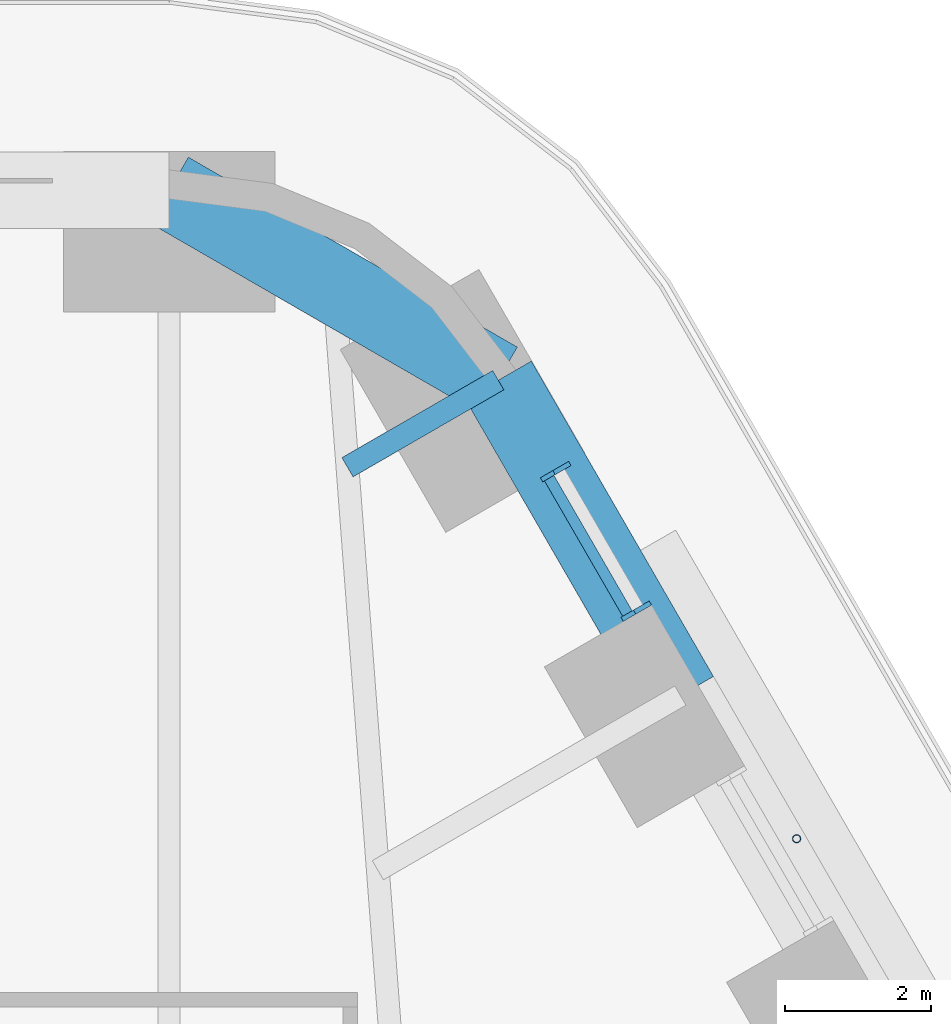
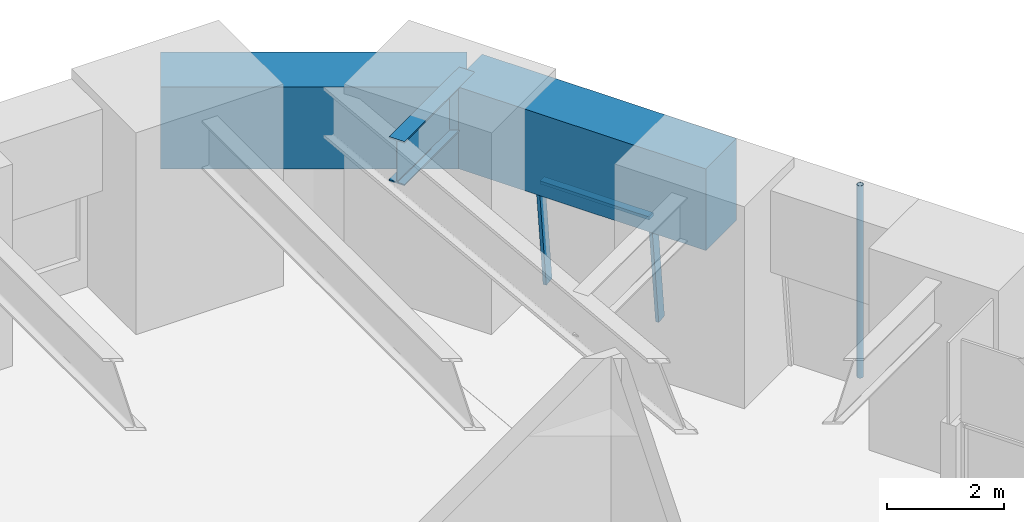
# One storey, part 13 of 24: 4 members, 3 beams, 1 element without a shape of its own.
"""IFC4 building model written with IfcOpenShell, lengths in metres."""

import ifcopenshell
import ifcopenshell.guid

model = None  # the IFC model being written
_history = None  # IfcOwnerHistory: only IFC2X3 demands one
_inside = {}  # id of a spatial element -> (the spatial element, [elements in it])
_under = {}  # id of a project, library or spatial element -> (it, [spatial elements below it])
_declared = {}  # id of a project -> (the project, [libraries it declares])
_typed = {}  # id of a type object -> (the type object, [elements of that type])
_made_of = {}  # id of a material, layer set ... -> (it, [elements and type objects made of it])


def new_model(schema):
    """Start an empty IFC model of exactly this schema.

    Asked for "IFC4X3", IfcOpenShell would pick the latest addendum, in which some entities
    have other attributes; the version numbers below select the first issue.
    IFC2X3 requires an IfcOwnerHistory on every rooted entity: one is made here for all.
    """
    global model, _history
    if schema == "IFC4X3":
        model = ifcopenshell.file(schema_version=(4, 3, 0, 0))
    else:
        model = ifcopenshell.file(schema=schema)
    _inside.clear()
    _under.clear()
    _declared.clear()
    _typed.clear()
    _made_of.clear()
    _history = None
    if model.schema == "IFC2X3":
        org = make("IfcOrganization", Name="unknown")
        user = make(
            "IfcPersonAndOrganization",
            ThePerson=make("IfcPerson", FamilyName="unknown"),
            TheOrganization=org,
        )
        app = make(
            "IfcApplication",
            ApplicationDeveloper=org,
            Version="unknown",
            ApplicationFullName="unknown",
            ApplicationIdentifier="unknown",
        )
        _history = make(
            "IfcOwnerHistory",
            OwningUser=user,
            OwningApplication=app,
            ChangeAction="ADDED",
            CreationDate=0,
        )
    return model


def make(cls, **values):
    """One entity of the class cls with the attributes given. An attribute that is None is left unset."""
    return model.create_entity(
        cls, **{name: value for name, value in values.items() if value is not None}
    )


def rooted(cls, **values):
    """An entity with a GlobalId (a new one), such as an element, a storey or a relation."""
    return make(cls, GlobalId=ifcopenshell.guid.new(), OwnerHistory=_history, **values)


def si_unit(unit_type, name, prefix=None):
    """IfcSIUnit, for example si_unit("LENGTHUNIT", "METRE", prefix="MILLI")."""
    return make("IfcSIUnit", UnitType=unit_type, Prefix=prefix, Name=name)


def assignment(units):
    """IfcUnitAssignment: the units of a project."""
    return None if units is None else make("IfcUnitAssignment", Units=units)


def point(xyz):
    """IfcCartesianPoint."""
    return None if xyz is None else make("IfcCartesianPoint", Coordinates=xyz)


def direction(xyz):
    """IfcDirection."""
    return None if xyz is None else make("IfcDirection", DirectionRatios=xyz)


def frame(location, z_axis=None, x_axis=None):
    """IfcAxis2Placement3D, a coordinate frame: its origin and axes. An axis left out is left unset."""
    return make(
        "IfcAxis2Placement3D",
        Location=point(location),
        Axis=direction(z_axis),
        RefDirection=direction(x_axis),
    )


def frame_2d(location, x_axis=None):
    """IfcAxis2Placement2D, a coordinate frame in the plane: its origin and x axis."""
    return make(
        "IfcAxis2Placement2D", Location=point(location), RefDirection=direction(x_axis)
    )


def origin():
    """The frame at (0, 0, 0) with its axes left unset."""
    return frame((0.0, 0.0, 0.0))


def origin_2d():
    """The frame at (0, 0) in the plane with its x axis left unset."""
    return frame_2d((0.0, 0.0))


def place(relative_to, where):
    """IfcLocalPlacement: puts the frame where relative to a parent placement (None: the world)."""
    return make(
        "IfcLocalPlacement", PlacementRelTo=relative_to, RelativePlacement=where
    )


def context(
    kind, dimensions, precision=None, world=None, true_north=None, identifier=None
):
    """IfcGeometricRepresentationContext, for example the 3D "Model" context."""
    return make(
        "IfcGeometricRepresentationContext",
        ContextIdentifier=identifier,
        ContextType=kind,
        CoordinateSpaceDimension=dimensions,
        Precision=precision,
        WorldCoordinateSystem=world,
        TrueNorth=true_north,
    )


def subcontext(parent, identifier, kind, view, scale=None):
    """IfcGeometricRepresentationSubContext, for example "Body" below "Model"."""
    return make(
        "IfcGeometricRepresentationSubContext",
        ContextIdentifier=identifier,
        ContextType=kind,
        ParentContext=parent,
        TargetScale=scale,
        TargetView=view,
    )


def project(units=None, contexts=None):
    """IfcProject with its units and contexts."""
    return rooted(
        "IfcProject",
        Name="project",
        RepresentationContexts=contexts,
        UnitsInContext=assignment(units),
    )


def spatial(cls, under=None, at=None, **own):
    """A site, building, storey or space (cls), placed at a placement, below another one or the project."""
    s = rooted(cls, ObjectPlacement=at, **own)
    if under is not None:
        _under.setdefault(under.id(), (under, []))[1].append(s)
    return s


def profile(cls, at=None, kind="AREA", **sizes):
    """A parametric profile (cls). Its sizes go by their IFC names, for example OverallWidth=200.0."""
    return make(cls, ProfileType=kind, Position=at, **sizes)


def rectangle(**sizes):
    """IfcRectangleProfileDef."""
    return profile("IfcRectangleProfileDef", **sizes)


def hollow_circle(**sizes):
    """IfcCircleHollowProfileDef."""
    return profile("IfcCircleHollowProfileDef", **sizes)


def i_section(**sizes):
    """IfcIShapeProfileDef."""
    return profile("IfcIShapeProfileDef", **sizes)


def extrude(swept, where, along, depth):
    """IfcExtrudedAreaSolid: the profile swept, set in the frame where, extruded along a direction by depth."""
    return make(
        "IfcExtrudedAreaSolid",
        SweptArea=swept,
        Position=where,
        ExtrudedDirection=direction(along),
        Depth=depth,
    )


def shape(context_of_items, identifier, shape_type, items):
    """IfcShapeRepresentation: the items that make up one representation, for example the "Body"."""
    return make(
        "IfcShapeRepresentation",
        ContextOfItems=context_of_items,
        RepresentationIdentifier=identifier,
        RepresentationType=shape_type,
        Items=items,
    )


def material(Name=None, Category=None):
    """IfcMaterial."""
    return make("IfcMaterial", Name=Name, Category=Category)


def material_profile(
    of_material, cross_section, Name=None, Category=None, Priority=None
):
    """IfcMaterialProfile: a cross section and its material."""
    return make(
        "IfcMaterialProfile",
        Name=Name,
        Material=of_material,
        Profile=cross_section,
        Priority=Priority,
        Category=Category,
    )


def profile_set(profiles, Name=None, composite=None):
    """IfcMaterialProfileSet."""
    return make(
        "IfcMaterialProfileSet",
        Name=Name,
        MaterialProfiles=profiles,
        CompositeProfile=composite,
    )


def made_of(thing, what):
    """Note that an element or type object is made of a material, layer set ...; save() writes the relation."""
    if what is not None:
        _made_of.setdefault(what.id(), (what, []))[1].append(thing)
    return thing


def type_object(cls, material=None, **own):
    """A type object (cls), such as IfcWallType, which elements share."""
    return made_of(rooted(cls, **own), material)


def element(
    cls,
    number,
    at=None,
    inside=None,
    cuts=None,
    type_object=None,
    material=None,
    context=None,
    identifier="Body",
    shape_type=None,
    held_by="IfcProductDefinitionShape",
    body=None,
    shapes=None,
    **own,
):
    """One element of the class cls, such as IfcWall. Its Tag is "e" and its number.

    at: its placement. inside: the storey or other place that contains it. cuts: it is an
    opening in that element (IfcRelVoidsElement). A single representation is given by context,
    identifier, shape_type and body (its items); several are given by shapes. held_by: the class
    of the entity that holds the representations. save() writes the other relations.
    """
    e = rooted(cls, Tag="e%d" % number, ObjectPlacement=at, **own)
    if body is not None:
        shapes = [shape(context, identifier, shape_type, body)]
    if shapes is not None:
        e.Representation = make(held_by, Representations=shapes)
    if inside is not None:
        _inside.setdefault(inside.id(), (inside, []))[1].append(e)
    if cuts is not None:
        rooted(
            "IfcRelVoidsElement", RelatingBuildingElement=cuts, RelatedOpeningElement=e
        )
    if type_object is not None:
        _typed.setdefault(type_object.id(), (type_object, []))[1].append(e)
    return made_of(e, material)


def aggregate(whole, parts):
    """IfcRelAggregates: a whole, such as a stair, and the parts it consists of."""
    return rooted("IfcRelAggregates", RelatingObject=whole, RelatedObjects=parts)


def save(model, path):
    """Write the relations noted so far, then the file.

    IfcRelAggregates (storeys below a building ...), IfcRelContainedInSpatialStructure (elements
    in a storey), IfcRelDefinesByType, IfcRelAssociatesMaterial and IfcRelDeclares: one each for
    every whole, place, type object, material and project.
    """
    for whole, parts in _under.values():
        aggregate(whole, parts)
    for where, things in _inside.values():
        rooted(
            "IfcRelContainedInSpatialStructure",
            RelatedElements=things,
            RelatingStructure=where,
        )
    for kind, things in _typed.values():
        rooted("IfcRelDefinesByType", RelatedObjects=things, RelatingType=kind)
    for what, things in _made_of.values():
        rooted("IfcRelAssociatesMaterial", RelatedObjects=things, RelatingMaterial=what)
    for by, libraries in _declared.values():
        rooted("IfcRelDeclares", RelatingContext=by, RelatedDefinitions=libraries)
    model.write(path)


model = new_model("IFC4")

# Units and contexts
model_context = context("Model", 3, precision=1e-05, world=origin(), true_north=direction((0.0, 1.0)))
body_context = subcontext(model_context, "Body", "Model", "MODEL_VIEW")
ifc_project = project(units=[si_unit("LENGTHUNIT", "METRE"), si_unit("AREAUNIT", "SQUARE_METRE"), si_unit("VOLUMEUNIT", "CUBIC_METRE"), si_unit("PLANEANGLEUNIT", "RADIAN"), si_unit("MASSUNIT", "GRAM", prefix="KILO")], contexts=[model_context])

# Site, building, storey
site_placement = place(None, origin())
site = spatial("IfcSite", under=ifc_project, at=site_placement, CompositionType="ELEMENT")
building_placement = place(site_placement, origin())
building = spatial("IfcBuilding", under=site, at=building_placement, Name="Tarfa Lantern Tower", CompositionType="ELEMENT")
storey_placement = place(building_placement, frame((0.0, 0.0, 119.5)))
storey = spatial("IfcBuildingStorey", under=building, at=storey_placement, Name="L26", CompositionType="ELEMENT", Elevation=119.5)

# Curtain wall, members
ifc_material_1 = material(Name="Aluminium framed curtain wall", Category="aluminium")
curtain_wall_type = type_object("IfcCurtainWallType", Name="CW2 CANTED GLAZING MID ZONE 2300", PredefinedType="USERDEFINED", material=ifc_material_1)
curtain_wall_placement = place(storey_placement, origin())
curtain_wall = element("IfcCurtainWall", 1, at=curtain_wall_placement, inside=storey, type_object=curtain_wall_type, Name="CW2 NEB L26", ObjectType="CURTAIN WALL", PredefinedType="USERDEFINED")
ifc_material_2 = material(Name="Aluminium mullion", Category="aluminium")
ifc_material_profile_1 = material_profile(ifc_material_2, rectangle(XDim=0.06494140625, YDim=0.199951171875, at=origin_2d()), Name="AL MULLION 65x200")
ifc_profile_set_1 = profile_set([ifc_material_profile_1], Name="Aluminium mullion")
member_type_1 = type_object("IfcMemberType", Name="CWM1 MULLION 65x200", PredefinedType="MULLION", material=ifc_profile_set_1)
member_1_placement = place(storey_placement, frame((21.53564453125, 25.4990234375, 0.0), z_axis=(-0.093495303575, -0.054028888748, 0.994152657991), x_axis=(0.500342721131, -0.865827443207, 0.0)))
member_1 = element("IfcMember", 2, at=member_1_placement, type_object=member_type_1, Name="CW2 mullion 1", PredefinedType="MULLION", context=body_context, shape_type="SweptSolid", body=[
    extrude(rectangle(XDim=0.06494140625, YDim=0.199951171875, at=origin_2d()), origin(), (0.0, 0.0, 1.0), 2.3134765625),
])
member_2_placement = place(storey_placement, frame((20.428955078125, 27.416015625, 0.0), z_axis=(-0.093599904765, -0.0540283554, 0.994142844183), x_axis=(0.499919672301, -0.866071776036, 0.0)))
member_2 = element("IfcMember", 3, at=member_2_placement, type_object=member_type_1, Name="CW2 mullion 2", PredefinedType="MULLION", context=body_context, shape_type="SweptSolid", body=[
    extrude(rectangle(XDim=0.06494140625, YDim=0.199951171875, at=origin_2d()), origin(), (0.0, 0.0, 1.0), 2.313720703125),
])
ifc_material_3 = material(Name="Aluminium transom", Category="aluminium")
ifc_material_profile_2 = material_profile(ifc_material_3, rectangle(XDim=0.14990234375, YDim=0.06494140625, at=origin_2d()), Name="AL TRANSOM 150x65")
ifc_profile_set_2 = profile_set([ifc_material_profile_2], Name="Aluminium transom")
member_type_2 = type_object("IfcMemberType", Name="CWT1 TRANSOM 150x65", PredefinedType="USERDEFINED", material=ifc_profile_set_2)
member_3_placement = place(storey_placement, frame((21.30615234375, 25.40380859375, 2.267578125), z_axis=(-0.500037174102, 0.866003940243, 0.0), x_axis=(-0.866003940243, -0.500037174102, 0.0)))
member_3 = element("IfcMember", 4, at=member_3_placement, type_object=member_type_2, Name="CW2 transom 1.2", ObjectType="TRANSOM", PredefinedType="USERDEFINED", context=body_context, shape_type="SweptSolid", body=[
    extrude(rectangle(XDim=0.14990234375, YDim=0.06494140625, at=origin_2d()), origin(), (0.0, 0.0, 1.0), 2.148681640625),
])
aggregate(curtain_wall, [member_1, member_2, member_3])

# Beams
ifc_material_4 = material(Name="Concrete C80/95", Category="concrete")
ifc_material_profile_3 = material_profile(ifc_material_4, rectangle(XDim=1.050048828125, YDim=1.699951171875, at=origin_2d()), Name="RC 1050x1700")
ifc_profile_set_3 = profile_set([ifc_material_profile_3], Name="Concrete C80/95")
beam_type_1 = type_object("IfcBeamType", Name="RB2 RC 1050x1700", PredefinedType="BEAM", material=ifc_profile_set_3)
beam_1_placement = place(storey_placement, frame((22.03369140625, 24.276611328125, 3.14990234375), z_axis=(-0.500001197378, 0.866024712477, 0.0), x_axis=(-0.866024712477, -0.500001197378, 0.0)))
element("IfcBeam", 5, at=beam_1_placement, inside=storey, type_object=beam_type_1, Name="Edge beam NE5", PredefinedType="BEAM", context=body_context, shape_type="SweptSolid", body=[
    extrude(rectangle(XDim=1.050048828125, YDim=1.699951171875, at=origin_2d()), origin(), (0.0, 0.0, 1.0), 5.00390625),
])
beam_2_placement = place(storey_placement, frame((19.53173828125, 28.610107421875, 3.14990234375), z_axis=(-0.86604150238, 0.499972115377, 0.0), x_axis=(-0.499972115377, -0.86604150238, 0.0)))
element("IfcBeam", 6, at=beam_2_placement, inside=storey, type_object=beam_type_1, Name="Edge beam NE6", PredefinedType="BEAM", context=body_context, shape_type="SweptSolid", body=[
    extrude(rectangle(XDim=1.050048828125, YDim=1.699951171875, at=origin_2d()), origin(), (0.0, 0.0, 1.0), 5.219970703125),
])

# Member
ifc_material_5 = material(Name="Steel S355", Category="steel")
ifc_material_profile_4 = material_profile(ifc_material_5, hollow_circle(Radius=0.05712890625, WallThickness=0.00634765625, at=origin_2d()), Name="CHS114.3x6.3")
ifc_profile_set_4 = profile_set([ifc_material_profile_4], Name="Steel S355")
member_type_3 = type_object("IfcMemberType", Name="TR1 GREEN WALL TRELLIS CHS114.3x6.3", PredefinedType="USERDEFINED", material=ifc_profile_set_4)
member_4_placement = place(storey_placement, frame((23.630859375, 22.31005859375, 0.0), z_axis=(0.0, 0.0, 1.0), x_axis=(1.0, 0.0, 0.0)))
element("IfcMember", 7, at=member_4_placement, inside=storey, type_object=member_type_3, Name="Trellis post NE 2", ObjectType="TRELLIS", PredefinedType="USERDEFINED", context=body_context, shape_type="SweptSolid", body=[
    extrude(hollow_circle(Radius=0.05712890625, WallThickness=0.00634765625, at=origin_2d()), origin(), (0.0, 0.0, 1.0), 4.0),
])

# Beam
ifc_material_6 = material(Name="Steel S460M", Category="steel")
ifc_material_profile_5 = material_profile(ifc_material_6, i_section(OverallWidth=0.305419921875, OverallDepth=0.91845703125, WebThickness=0.017333984375, FlangeThickness=0.02783203125, FilletRadius=0.01904296875, at=origin_2d()), Name="UB914x305x253")
ifc_profile_set_5 = profile_set([ifc_material_profile_5], Name="Steel S460M")
beam_type_2 = type_object("IfcBeamType", Name="UB914x305x253", PredefinedType="BEAM", material=ifc_profile_set_5)
beam_3_placement = place(storey_placement, frame((19.53173828125, 28.610107421875, 3.540771484375), z_axis=(-0.865998640954, -0.500046351717, 0.0), x_axis=(0.500046351717, -0.865998640954, 0.0)))
element("IfcBeam", 8, at=beam_3_placement, inside=storey, type_object=beam_type_2, Name="Floor beam NE6", PredefinedType="BEAM", context=body_context, shape_type="SweptSolid", body=[
    extrude(i_section(OverallWidth=0.305419921875, OverallDepth=0.91845703125, WebThickness=0.017333984375, FlangeThickness=0.02783203125, FilletRadius=0.01904296875, at=origin_2d()), origin(), (0.0, 0.0, 1.0), 2.392333984375),
])

save(model, "model.ifc")
